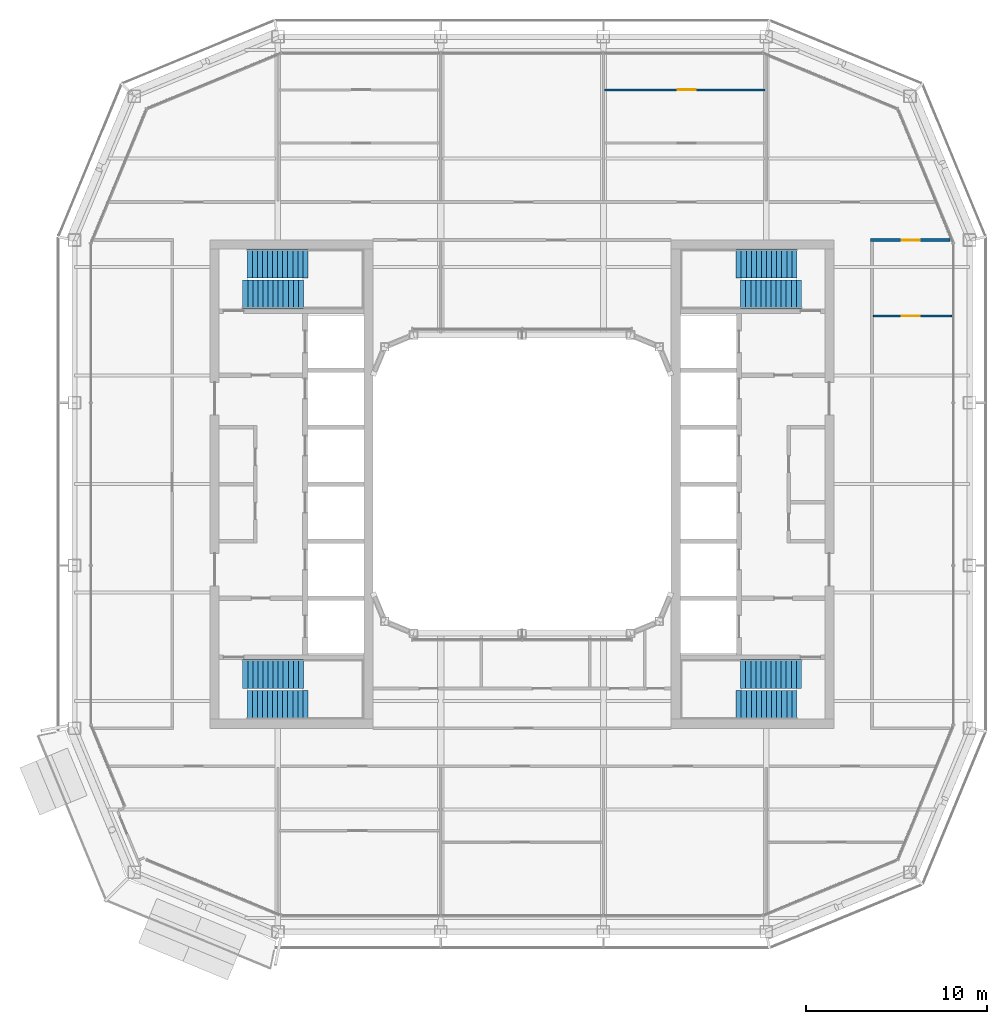
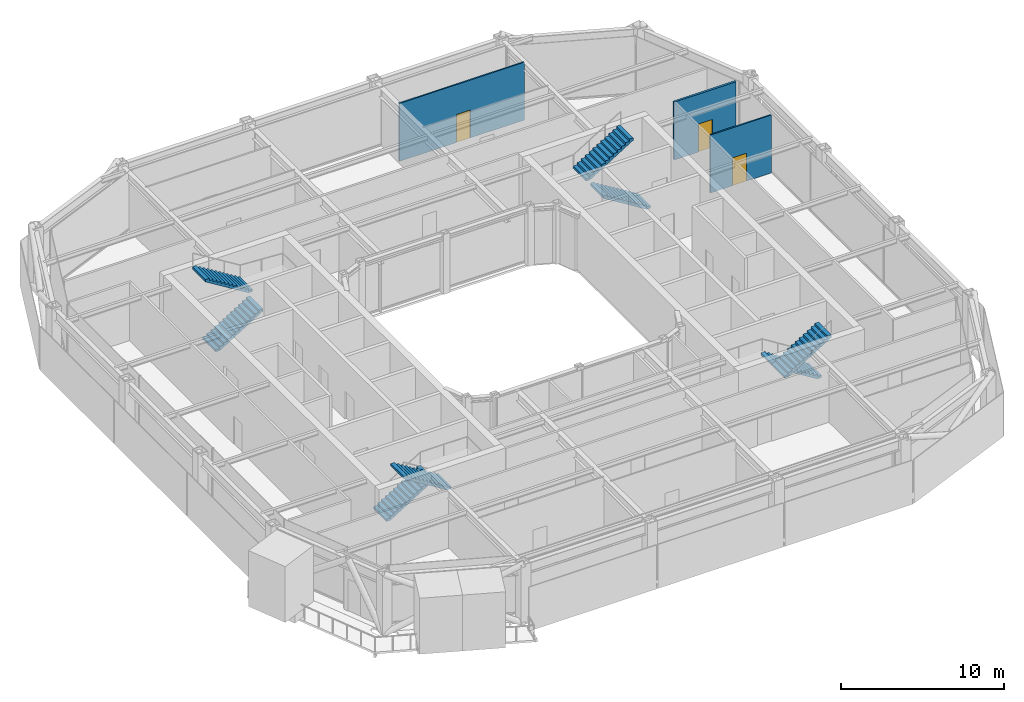
# One storey, part 14 of 21: 8 stair flights, 3 doors, 3 walls, 3 openings, 4 elements without a shape of their own.
"""IFC4 building model written with IfcOpenShell, lengths in metres."""

from ifc_helpers import new_model, si_unit, direction, frame, frame_2d, origin, place, context, subcontext, project, spatial, polyline, rectangle, outline, extrude, material, layer, layer_set, type_object, element, fill, aggregate, save


model = new_model("IFC4")

# Units and contexts
model_context = context("Model", 3, precision=1e-05, world=origin(), true_north=direction((0.0, 1.0)))
body_context = subcontext(model_context, "Body", "Model", "MODEL_VIEW")
ifc_project = project(units=[si_unit("LENGTHUNIT", "METRE"), si_unit("AREAUNIT", "SQUARE_METRE"), si_unit("VOLUMEUNIT", "CUBIC_METRE"), si_unit("PLANEANGLEUNIT", "RADIAN"), si_unit("MASSUNIT", "GRAM", prefix="KILO")], contexts=[model_context])

# Site, building, storey
site_placement = place(None, origin())
site = spatial("IfcSite", under=ifc_project, at=site_placement, CompositionType="ELEMENT")
building_placement = place(site_placement, origin())
building = spatial("IfcBuilding", under=site, at=building_placement, Name="Siwar Civic Tower", CompositionType="ELEMENT")
storey_placement = place(building_placement, frame((0.0, 0.0, 334.699951171875)))
storey = spatial("IfcBuildingStorey", under=building, at=storey_placement, Name="L72", CompositionType="ELEMENT", Elevation=334.699951171875)

# Wall, opening, door
ifc_material_1 = material(Name="Gypsum board on steel studs", Category="steel")
ifc_layer_1 = layer(ifc_material_1, 0.14990234375)
ifc_layer_set_1 = layer_set([ifc_layer_1], Name="Gypsum board on steel studs")
wall_type_1 = type_object("IfcWallType", Name="CORRIDOR PARTITION 150 EI 30", PredefinedType="PARTITIONING", material=ifc_layer_set_1)
wall_1_placement = place(storey_placement, frame((19.27490234375, 13.5, 0.0), z_axis=(0.0, 0.0, 1.0), x_axis=(1.0, 0.0, 0.0)))
wall_1 = element("IfcWall", 1, at=wall_1_placement, inside=storey, type_object=wall_type_1, Name="L72/wall/P13", PredefinedType="PARTITIONING", context=body_context, shape_type="SweptSolid", body=[
    extrude(rectangle(XDim=4.403076171875, YDim=0.14990234375, at=frame_2d((2.20166015625, 0.0))), origin(), (0.0, 0.0, 1.0), 4.35009765625),
])
opening_1_placement = place(wall_1_placement, frame((1.72509765625, 0.0, 0.0)))
opening_1 = element("IfcOpeningElement", 2, at=opening_1_placement, cuts=wall_1, Name="Opening D1", PredefinedType="OPENING", context=body_context, shape_type="SweptSolid", body=[
    extrude(rectangle(XDim=1.0, YDim=2.10009765625, at=frame_2d((0.5, 1.050048828125))), frame((0.0, 0.0849609375, 0.0), z_axis=(0.0, -1.0, 0.0), x_axis=(1.0, 0.0, 0.0)), (0.0, 0.0, 1.0), 0.169921875),
])
ifc_material_2 = material(Name="Timber, painted", Category="wood")
door_type_1 = type_object("IfcDoorType", Name="DOOR 1000 X 2100 FD30", OperationType="SINGLE_SWING_LEFT", PredefinedType="DOOR", material=ifc_material_2)
door_1_placement = place(opening_1_placement, origin())
door_1 = element("IfcDoor", 3, at=door_1_placement, inside=storey, type_object=door_type_1, Name="L72-D19", OperationType="SINGLE_SWING_LEFT", OverallHeight=2.10009765625, OverallWidth=1.0, PredefinedType="DOOR", context=body_context, shape_type="SweptSolid", body=[
    extrude(rectangle(XDim=1.0, YDim=2.10009765625, at=frame_2d((0.5, 1.050048828125))), frame((0.0, 0.02490234375, 0.0), z_axis=(0.0, -1.0, 0.0), x_axis=(1.0, 0.0, 0.0)), (0.0, 0.0, 1.0), 0.050048828125),
])
fill(opening_1, door_1)

ifc_material_3 = material(Name="Gypsum board on steel studs", Category="steel")
ifc_layer_2 = layer(ifc_material_3, 0.10009765625)
ifc_layer_set_2 = layer_set([ifc_layer_2], Name="Gypsum board on steel studs")
wall_type_2 = type_object("IfcWallType", Name="PARTITION 100 GYPSUM", PredefinedType="PARTITIONING", material=ifc_layer_set_2)
wall_2_placement = place(storey_placement, frame((19.425048828125, 9.300048828125, 0.0), z_axis=(0.0, 0.0, 1.0), x_axis=(1.0, 0.0, 0.0)))
wall_2 = element("IfcWall", 4, at=wall_2_placement, inside=storey, type_object=wall_type_2, Name="L72/wall/P10", PredefinedType="PARTITIONING", context=body_context, shape_type="SweptSolid", body=[
    extrude(rectangle(XDim=4.3349609375, YDim=0.10009765625, at=frame_2d((2.16748046875, 0.0))), origin(), (0.0, 0.0, 1.0), 4.35009765625),
])
opening_2_placement = place(wall_2_placement, frame((1.574951171875, 0.0, 0.0)))
opening_2 = element("IfcOpeningElement", 5, at=opening_2_placement, cuts=wall_2, Name="Opening D2", PredefinedType="OPENING", context=body_context, shape_type="SweptSolid", body=[
    extrude(rectangle(XDim=1.0, YDim=2.10009765625, at=frame_2d((0.5, 1.050048828125))), frame((0.0, 0.06005859375, 0.0), z_axis=(0.0, -1.0, 0.0), x_axis=(1.0, 0.0, 0.0)), (0.0, 0.0, 1.0), 0.1201171875),
])
ifc_material_4 = material(Name="Timber, painted", Category="wood")
door_type_2 = type_object("IfcDoorType", Name="DOOR 1000 X 2100", OperationType="SINGLE_SWING_LEFT", PredefinedType="DOOR", material=ifc_material_4)
door_2_placement = place(opening_2_placement, origin())
door_2 = element("IfcDoor", 6, at=door_2_placement, inside=storey, type_object=door_type_2, Name="L72-D20", OperationType="SINGLE_SWING_RIGHT", OverallHeight=2.10009765625, OverallWidth=1.0, PredefinedType="DOOR", context=body_context, shape_type="SweptSolid", body=[
    extrude(rectangle(XDim=1.0, YDim=2.10009765625, at=frame_2d((0.5, 1.050048828125))), frame((0.0, 0.02490234375, 0.0), z_axis=(0.0, -1.0, 0.0), x_axis=(1.0, 0.0, 0.0)), (0.0, 0.0, 1.0), 0.050048828125),
])
fill(opening_2, door_2)

wall_3_placement = place(storey_placement, frame((4.550048828125, 21.802001953125, 0.0), z_axis=(0.0, 0.0, 1.0), x_axis=(1.0, 0.0, 0.0)))
wall_3 = element("IfcWall", 7, at=wall_3_placement, inside=storey, type_object=wall_type_2, Name="L72/wall/P18", PredefinedType="PARTITIONING", context=body_context, shape_type="SweptSolid", body=[
    extrude(rectangle(XDim=8.89990234375, YDim=0.10009765625, at=frame_2d((4.449951171875, 0.0))), origin(), (0.0, 0.0, 1.0), 4.35009765625),
])
opening_3_placement = place(wall_3_placement, frame((4.050048828125, 0.0, 0.0)))
opening_3 = element("IfcOpeningElement", 8, at=opening_3_placement, cuts=wall_3, Name="Opening D2", PredefinedType="OPENING", context=body_context, shape_type="SweptSolid", body=[
    extrude(rectangle(XDim=1.0, YDim=2.10009765625, at=frame_2d((0.5, 1.050048828125))), frame((0.0, 0.06005859375, 0.0), z_axis=(0.0, -1.0, 0.0), x_axis=(1.0, 0.0, 0.0)), (0.0, 0.0, 1.0), 0.1201171875),
])
door_3_placement = place(opening_3_placement, origin())
door_3 = element("IfcDoor", 9, at=door_3_placement, inside=storey, type_object=door_type_2, Name="L72-D07", OperationType="SINGLE_SWING_LEFT", OverallHeight=2.10009765625, OverallWidth=1.0, PredefinedType="DOOR", context=body_context, shape_type="SweptSolid", body=[
    extrude(rectangle(XDim=1.0, YDim=2.10009765625, at=frame_2d((0.5, 1.050048828125))), frame((0.0, 0.02490234375, 0.0), z_axis=(0.0, -1.0, 0.0), x_axis=(1.0, 0.0, 0.0)), (0.0, 0.0, 1.0), 0.050048828125),
])
fill(opening_3, door_3)

# Stair, stair flights
ifc_material_5 = material(Name="Concrete C40/50", Category="concrete")
stair_type = type_object("IfcStairType", Name="CORE-STAIR", PredefinedType="TWO_STRAIGHT_RUN_STAIR", material=ifc_material_5)
stair_1_placement = place(storey_placement, origin())
stair_1 = element("IfcStair", 10, at=stair_1_placement, inside=storey, type_object=stair_type, Name="Exit stair ST1", PredefinedType="TWO_STRAIGHT_RUN_STAIR")
ifc_material_6 = material(Name="Concrete C40/50", Category="concrete")
stair_flight_type = type_object("IfcStairFlightType", Name="CORE-STAIR-FLIGHT", PredefinedType="STRAIGHT", material=ifc_material_6)
stair_flight_1_placement = place(storey_placement, frame((-15.449951171875, 10.5, 0.0), z_axis=(0.0, 0.0, 1.0), x_axis=(1.0, 0.0, 0.0)))
stair_flight_1 = element("IfcStairFlight", 11, at=stair_flight_1_placement, type_object=stair_flight_type, Name="ST1 flight 1", NumberOfRisers=13, NumberOfTreads=12, PredefinedType="STRAIGHT", RiserHeight=0.173076923, TreadLength=0.28, context=body_context, shape_type="SweptSolid", body=[
    extrude(outline(polyline([(0.0, 0.0), (0.0, 0.173095703125), (0.280029296875, 0.173095703125), (0.280029296875, 0.34619140625), (0.56005859375, 0.34619140625), (0.56005859375, 0.519287109375), (0.840087890625, 0.519287109375), (0.840087890625, 0.6923828125), (1.1201171875, 0.6923828125), (1.1201171875, 0.865478515625), (1.39990234375, 0.865478515625), (1.39990234375, 1.03857421875), (1.679931640625, 1.03857421875), (1.679931640625, 1.21142578125), (1.9599609375, 1.21142578125), (1.9599609375, 1.384521484375), (2.239990234375, 1.384521484375), (2.239990234375, 1.5576171875), (2.52001953125, 1.5576171875), (2.52001953125, 1.730712890625), (2.800048828125, 1.730712890625), (2.800048828125, 1.90380859375), (3.080078125, 1.90380859375), (3.080078125, 2.076904296875), (3.360107421875, 2.076904296875), (3.360107421875, 2.25), (3.360107421875, 1.900634765625), (0.28515625, 0.0), (0.0, 0.0)])), frame((0.0, 0.800048828125, 0.0), z_axis=(0.0, -1.0, 0.0), x_axis=(1.0, 0.0, 0.0)), (0.0, 0.0, 1.0), 1.60009765625),
])
stair_flight_2_placement = place(storey_placement, frame((-11.840087890625, 12.199951171875, 2.25), z_axis=(0.0, 0.0, 1.0), x_axis=(-1.0, 0.0, 0.0)))
stair_flight_2 = element("IfcStairFlight", 12, at=stair_flight_2_placement, type_object=stair_flight_type, Name="ST1 flight 2", NumberOfRisers=13, NumberOfTreads=12, PredefinedType="STRAIGHT", RiserHeight=0.173076923, TreadLength=0.28, context=body_context, shape_type="SweptSolid", body=[
    extrude(outline(polyline([(0.0, 0.0), (0.0, 0.173095703125), (0.280029296875, 0.173095703125), (0.280029296875, 0.34619140625), (0.56005859375, 0.34619140625), (0.56005859375, 0.519287109375), (0.840087890625, 0.519287109375), (0.840087890625, 0.6923828125), (1.1201171875, 0.6923828125), (1.1201171875, 0.865478515625), (1.39990234375, 0.865478515625), (1.39990234375, 1.03857421875), (1.679931640625, 1.03857421875), (1.679931640625, 1.21142578125), (1.9599609375, 1.21142578125), (1.9599609375, 1.384521484375), (2.239990234375, 1.384521484375), (2.239990234375, 1.5576171875), (2.52001953125, 1.5576171875), (2.52001953125, 1.730712890625), (2.800048828125, 1.730712890625), (2.800048828125, 1.90380859375), (3.080078125, 1.90380859375), (3.080078125, 2.076904296875), (3.360107421875, 2.076904296875), (3.360107421875, 2.25), (3.360107421875, 1.900634765625), (0.28515625, 0.0), (0.0, 0.0)])), frame((0.0, 0.800048828125, 0.0), z_axis=(0.0, -1.0, 0.0), x_axis=(1.0, 0.0, 0.0)), (0.0, 0.0, 1.0), 1.60009765625),
])
aggregate(stair_1, [stair_flight_1, stair_flight_2])

stair_2_placement = place(storey_placement, origin())
stair_2 = element("IfcStair", 13, at=stair_2_placement, inside=storey, type_object=stair_type, Name="Exit stair ST2", PredefinedType="TWO_STRAIGHT_RUN_STAIR")
stair_flight_3_placement = place(storey_placement, frame((-15.449951171875, -10.5, 0.0), z_axis=(0.0, 0.0, 1.0), x_axis=(1.0, 0.0, 0.0)))
stair_flight_3 = element("IfcStairFlight", 14, at=stair_flight_3_placement, type_object=stair_flight_type, Name="ST2 flight 1", NumberOfRisers=13, NumberOfTreads=12, PredefinedType="STRAIGHT", RiserHeight=0.173076923, TreadLength=0.28, context=body_context, shape_type="SweptSolid", body=[
    extrude(outline(polyline([(0.0, 0.0), (0.0, 0.173095703125), (0.280029296875, 0.173095703125), (0.280029296875, 0.34619140625), (0.56005859375, 0.34619140625), (0.56005859375, 0.519287109375), (0.840087890625, 0.519287109375), (0.840087890625, 0.6923828125), (1.1201171875, 0.6923828125), (1.1201171875, 0.865478515625), (1.39990234375, 0.865478515625), (1.39990234375, 1.03857421875), (1.679931640625, 1.03857421875), (1.679931640625, 1.21142578125), (1.9599609375, 1.21142578125), (1.9599609375, 1.384521484375), (2.239990234375, 1.384521484375), (2.239990234375, 1.5576171875), (2.52001953125, 1.5576171875), (2.52001953125, 1.730712890625), (2.800048828125, 1.730712890625), (2.800048828125, 1.90380859375), (3.080078125, 1.90380859375), (3.080078125, 2.076904296875), (3.360107421875, 2.076904296875), (3.360107421875, 2.25), (3.360107421875, 1.900634765625), (0.28515625, 0.0), (0.0, 0.0)])), frame((0.0, 0.800048828125, 0.0), z_axis=(0.0, -1.0, 0.0), x_axis=(1.0, 0.0, 0.0)), (0.0, 0.0, 1.0), 1.60009765625),
])
stair_flight_4_placement = place(storey_placement, frame((-11.840087890625, -12.199951171875, 2.25), z_axis=(0.0, 0.0, 1.0), x_axis=(-1.0, 0.0, 0.0)))
stair_flight_4 = element("IfcStairFlight", 15, at=stair_flight_4_placement, type_object=stair_flight_type, Name="ST2 flight 2", NumberOfRisers=13, NumberOfTreads=12, PredefinedType="STRAIGHT", RiserHeight=0.173076923, TreadLength=0.28, context=body_context, shape_type="SweptSolid", body=[
    extrude(outline(polyline([(0.0, 0.0), (0.0, 0.173095703125), (0.280029296875, 0.173095703125), (0.280029296875, 0.34619140625), (0.56005859375, 0.34619140625), (0.56005859375, 0.519287109375), (0.840087890625, 0.519287109375), (0.840087890625, 0.6923828125), (1.1201171875, 0.6923828125), (1.1201171875, 0.865478515625), (1.39990234375, 0.865478515625), (1.39990234375, 1.03857421875), (1.679931640625, 1.03857421875), (1.679931640625, 1.21142578125), (1.9599609375, 1.21142578125), (1.9599609375, 1.384521484375), (2.239990234375, 1.384521484375), (2.239990234375, 1.5576171875), (2.52001953125, 1.5576171875), (2.52001953125, 1.730712890625), (2.800048828125, 1.730712890625), (2.800048828125, 1.90380859375), (3.080078125, 1.90380859375), (3.080078125, 2.076904296875), (3.360107421875, 2.076904296875), (3.360107421875, 2.25), (3.360107421875, 1.900634765625), (0.28515625, 0.0), (0.0, 0.0)])), frame((0.0, 0.800048828125, 0.0), z_axis=(0.0, -1.0, 0.0), x_axis=(1.0, 0.0, 0.0)), (0.0, 0.0, 1.0), 1.60009765625),
])
aggregate(stair_2, [stair_flight_3, stair_flight_4])

stair_3_placement = place(storey_placement, origin())
stair_3 = element("IfcStair", 16, at=stair_3_placement, inside=storey, type_object=stair_type, Name="Exit stair ST3", PredefinedType="TWO_STRAIGHT_RUN_STAIR")
stair_flight_5_placement = place(storey_placement, frame((15.449951171875, 10.5, 0.0), z_axis=(0.0, 0.0, 1.0), x_axis=(-1.0, 0.0, 0.0)))
stair_flight_5 = element("IfcStairFlight", 17, at=stair_flight_5_placement, type_object=stair_flight_type, Name="ST3 flight 1", NumberOfRisers=13, NumberOfTreads=12, PredefinedType="STRAIGHT", RiserHeight=0.173076923, TreadLength=0.28, context=body_context, shape_type="SweptSolid", body=[
    extrude(outline(polyline([(0.0, 0.0), (0.0, 0.173095703125), (0.280029296875, 0.173095703125), (0.280029296875, 0.34619140625), (0.56005859375, 0.34619140625), (0.56005859375, 0.519287109375), (0.840087890625, 0.519287109375), (0.840087890625, 0.6923828125), (1.1201171875, 0.6923828125), (1.1201171875, 0.865478515625), (1.39990234375, 0.865478515625), (1.39990234375, 1.03857421875), (1.679931640625, 1.03857421875), (1.679931640625, 1.21142578125), (1.9599609375, 1.21142578125), (1.9599609375, 1.384521484375), (2.239990234375, 1.384521484375), (2.239990234375, 1.5576171875), (2.52001953125, 1.5576171875), (2.52001953125, 1.730712890625), (2.800048828125, 1.730712890625), (2.800048828125, 1.90380859375), (3.080078125, 1.90380859375), (3.080078125, 2.076904296875), (3.360107421875, 2.076904296875), (3.360107421875, 2.25), (3.360107421875, 1.900634765625), (0.28515625, 0.0), (0.0, 0.0)])), frame((0.0, 0.800048828125, 0.0), z_axis=(0.0, -1.0, 0.0), x_axis=(1.0, 0.0, 0.0)), (0.0, 0.0, 1.0), 1.60009765625),
])
stair_flight_6_placement = place(storey_placement, frame((11.840087890625, 12.199951171875, 2.25), z_axis=(0.0, 0.0, 1.0), x_axis=(1.0, 0.0, 0.0)))
stair_flight_6 = element("IfcStairFlight", 18, at=stair_flight_6_placement, type_object=stair_flight_type, Name="ST3 flight 2", NumberOfRisers=13, NumberOfTreads=12, PredefinedType="STRAIGHT", RiserHeight=0.173076923, TreadLength=0.28, context=body_context, shape_type="SweptSolid", body=[
    extrude(outline(polyline([(0.0, 0.0), (0.0, 0.173095703125), (0.280029296875, 0.173095703125), (0.280029296875, 0.34619140625), (0.56005859375, 0.34619140625), (0.56005859375, 0.519287109375), (0.840087890625, 0.519287109375), (0.840087890625, 0.6923828125), (1.1201171875, 0.6923828125), (1.1201171875, 0.865478515625), (1.39990234375, 0.865478515625), (1.39990234375, 1.03857421875), (1.679931640625, 1.03857421875), (1.679931640625, 1.21142578125), (1.9599609375, 1.21142578125), (1.9599609375, 1.384521484375), (2.239990234375, 1.384521484375), (2.239990234375, 1.5576171875), (2.52001953125, 1.5576171875), (2.52001953125, 1.730712890625), (2.800048828125, 1.730712890625), (2.800048828125, 1.90380859375), (3.080078125, 1.90380859375), (3.080078125, 2.076904296875), (3.360107421875, 2.076904296875), (3.360107421875, 2.25), (3.360107421875, 1.900634765625), (0.28515625, 0.0), (0.0, 0.0)])), frame((0.0, 0.800048828125, 0.0), z_axis=(0.0, -1.0, 0.0), x_axis=(1.0, 0.0, 0.0)), (0.0, 0.0, 1.0), 1.60009765625),
])
aggregate(stair_3, [stair_flight_5, stair_flight_6])

stair_4_placement = place(storey_placement, origin())
stair_4 = element("IfcStair", 19, at=stair_4_placement, inside=storey, type_object=stair_type, Name="Exit stair ST4", PredefinedType="TWO_STRAIGHT_RUN_STAIR")
stair_flight_7_placement = place(storey_placement, frame((15.449951171875, -10.5, 0.0), z_axis=(0.0, 0.0, 1.0), x_axis=(-1.0, 0.0, 0.0)))
stair_flight_7 = element("IfcStairFlight", 20, at=stair_flight_7_placement, type_object=stair_flight_type, Name="ST4 flight 1", NumberOfRisers=13, NumberOfTreads=12, PredefinedType="STRAIGHT", RiserHeight=0.173076923, TreadLength=0.28, context=body_context, shape_type="SweptSolid", body=[
    extrude(outline(polyline([(0.0, 0.0), (0.0, 0.173095703125), (0.280029296875, 0.173095703125), (0.280029296875, 0.34619140625), (0.56005859375, 0.34619140625), (0.56005859375, 0.519287109375), (0.840087890625, 0.519287109375), (0.840087890625, 0.6923828125), (1.1201171875, 0.6923828125), (1.1201171875, 0.865478515625), (1.39990234375, 0.865478515625), (1.39990234375, 1.03857421875), (1.679931640625, 1.03857421875), (1.679931640625, 1.21142578125), (1.9599609375, 1.21142578125), (1.9599609375, 1.384521484375), (2.239990234375, 1.384521484375), (2.239990234375, 1.5576171875), (2.52001953125, 1.5576171875), (2.52001953125, 1.730712890625), (2.800048828125, 1.730712890625), (2.800048828125, 1.90380859375), (3.080078125, 1.90380859375), (3.080078125, 2.076904296875), (3.360107421875, 2.076904296875), (3.360107421875, 2.25), (3.360107421875, 1.900634765625), (0.28515625, 0.0), (0.0, 0.0)])), frame((0.0, 0.800048828125, 0.0), z_axis=(0.0, -1.0, 0.0), x_axis=(1.0, 0.0, 0.0)), (0.0, 0.0, 1.0), 1.60009765625),
])
stair_flight_8_placement = place(storey_placement, frame((11.840087890625, -12.199951171875, 2.25), z_axis=(0.0, 0.0, 1.0), x_axis=(1.0, 0.0, 0.0)))
stair_flight_8 = element("IfcStairFlight", 21, at=stair_flight_8_placement, type_object=stair_flight_type, Name="ST4 flight 2", NumberOfRisers=13, NumberOfTreads=12, PredefinedType="STRAIGHT", RiserHeight=0.173076923, TreadLength=0.28, context=body_context, shape_type="SweptSolid", body=[
    extrude(outline(polyline([(0.0, 0.0), (0.0, 0.173095703125), (0.280029296875, 0.173095703125), (0.280029296875, 0.34619140625), (0.56005859375, 0.34619140625), (0.56005859375, 0.519287109375), (0.840087890625, 0.519287109375), (0.840087890625, 0.6923828125), (1.1201171875, 0.6923828125), (1.1201171875, 0.865478515625), (1.39990234375, 0.865478515625), (1.39990234375, 1.03857421875), (1.679931640625, 1.03857421875), (1.679931640625, 1.21142578125), (1.9599609375, 1.21142578125), (1.9599609375, 1.384521484375), (2.239990234375, 1.384521484375), (2.239990234375, 1.5576171875), (2.52001953125, 1.5576171875), (2.52001953125, 1.730712890625), (2.800048828125, 1.730712890625), (2.800048828125, 1.90380859375), (3.080078125, 1.90380859375), (3.080078125, 2.076904296875), (3.360107421875, 2.076904296875), (3.360107421875, 2.25), (3.360107421875, 1.900634765625), (0.28515625, 0.0), (0.0, 0.0)])), frame((0.0, 0.800048828125, 0.0), z_axis=(0.0, -1.0, 0.0), x_axis=(1.0, 0.0, 0.0)), (0.0, 0.0, 1.0), 1.60009765625),
])
aggregate(stair_4, [stair_flight_7, stair_flight_8])

save(model, "model.ifc")
